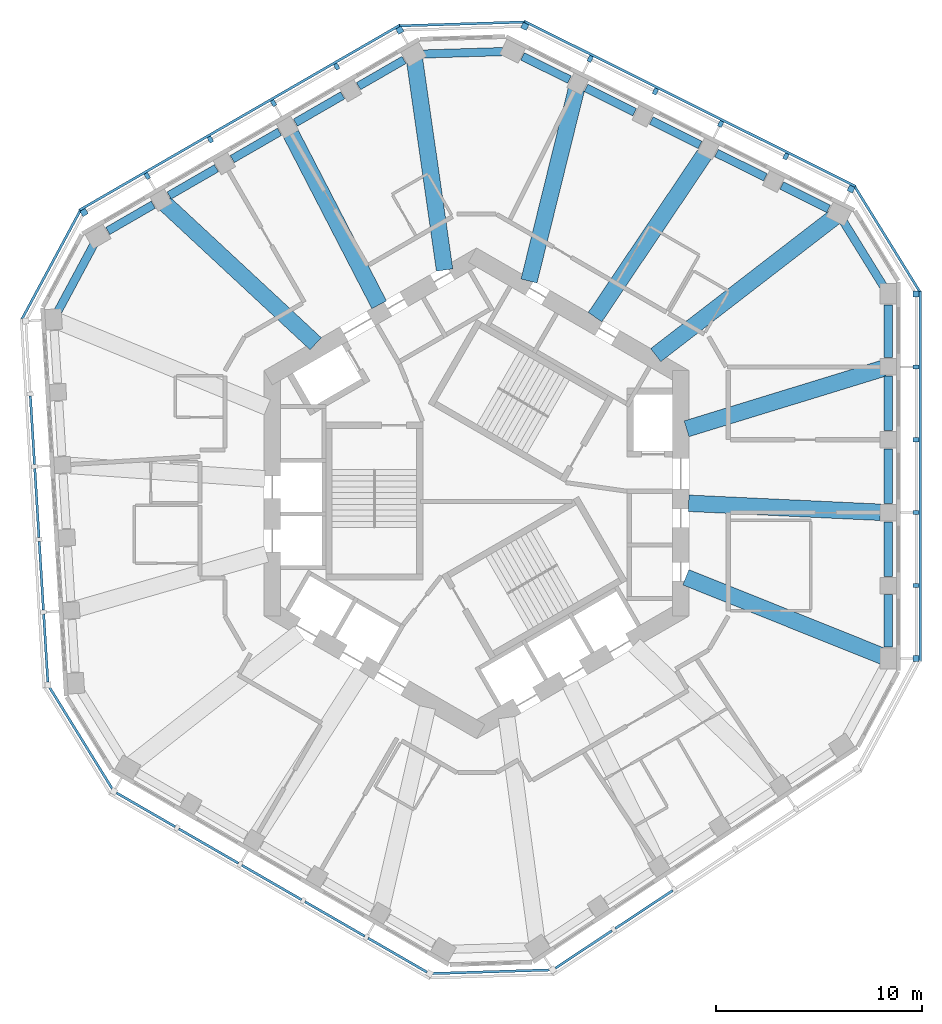
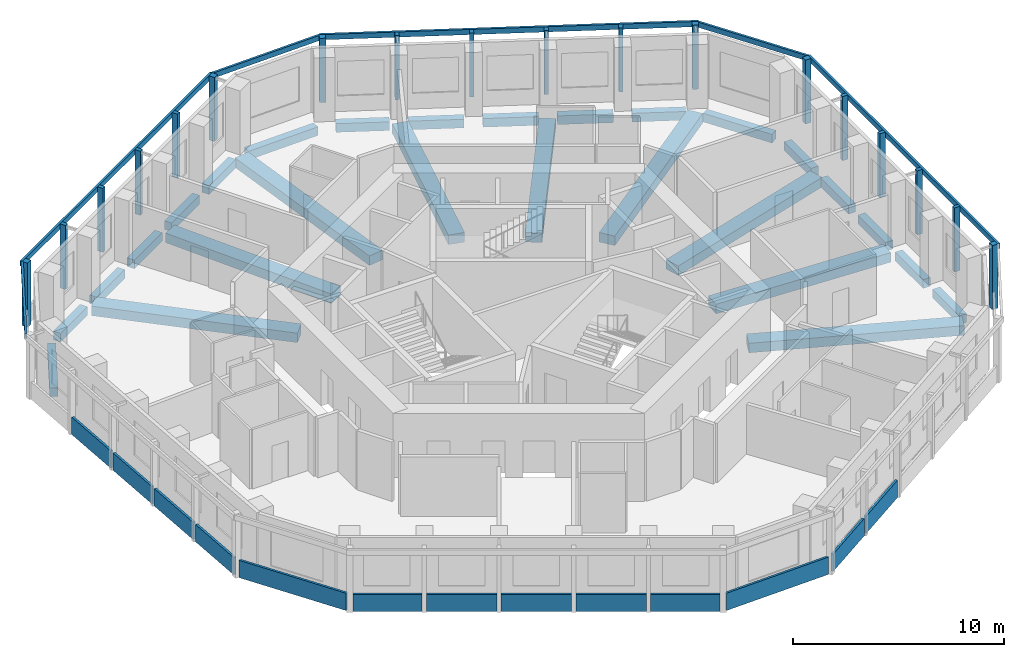
# One storey, part 2 of 11: 27 beams, 24 members, 13 plates, 11 elements without a shape of their own.
"""IFC4 building model written with IfcOpenShell, lengths in metres."""

from ifc_helpers import new_model, si_unit, direction, frame, origin, origin_2d, place, context, subcontext, project, spatial, rectangle, extrude, material, layer, layer_set, material_profile, profile_set, type_object, element, aggregate, save


model = new_model("IFC4")

# Units and contexts
model_context = context("Model", 3, precision=1e-05, world=origin(), true_north=direction((0.0, 1.0)))
body_context = subcontext(model_context, "Body", "Model", "MODEL_VIEW")
ifc_project = project(units=[si_unit("LENGTHUNIT", "METRE"), si_unit("AREAUNIT", "SQUARE_METRE"), si_unit("VOLUMEUNIT", "CUBIC_METRE"), si_unit("PLANEANGLEUNIT", "RADIAN"), si_unit("MASSUNIT", "GRAM", prefix="KILO")], contexts=[model_context])

# Site, building, storey
site_placement = place(None, origin())
site = spatial("IfcSite", under=ifc_project, at=site_placement, CompositionType="ELEMENT")
building_placement = place(site_placement, origin())
building = spatial("IfcBuilding", under=site, at=building_placement, Name="Vanh Sen Convention Tower", CompositionType="ELEMENT")
storey_placement = place(building_placement, frame((0.0, 0.0, 243.89990234375)))
storey = spatial("IfcBuildingStorey", under=building, at=storey_placement, Name="L60", CompositionType="ELEMENT", Elevation=243.89990234375)

# Curtain wall, members
ifc_material_1 = material(Name="Concrete C50/60", Category="concrete")
curtain_wall_type = type_object("IfcCurtainWallType", Name="Outer skin office zone", PredefinedType="NOTDEFINED", material=ifc_material_1)
curtain_wall_1_placement = place(storey_placement, origin())
curtain_wall_1 = element("IfcCurtainWall", 1, at=curtain_wall_1_placement, inside=storey, type_object=curtain_wall_type, Name="OUTER SKIN E L60", PredefinedType="NOTDEFINED")
ifc_material_profile_1 = material_profile(ifc_material_1, rectangle(XDim=0.300048828125, YDim=0.300048828125, at=origin_2d()), Name="Outer skin precast corner fin 300 x 300")
ifc_profile_set_1 = profile_set([ifc_material_profile_1], Name="Concrete C50/60")
member_type_1 = type_object("IfcMemberType", Name="Outer skin precast corner fin 300 x 300", PredefinedType="MULLION", material=ifc_profile_set_1)
member_1_placement = place(storey_placement, frame((21.300048828125, -8.002685546875, 0.0), z_axis=(0.0, 0.0, 1.0), x_axis=(0.0, 1.0, 0.0)))
member_1 = element("IfcMember", 2, at=member_1_placement, type_object=member_type_1, Name="OUTER SKIN CORNER FIN 1 E L60", PredefinedType="MULLION", context=body_context, shape_type="SweptSolid", body=[
    extrude(rectangle(XDim=0.300048828125, YDim=0.300048828125, at=origin_2d()), origin(), (0.0, 0.0, 1.0), 3.7001953125),
])
member_2_placement = place(storey_placement, frame((21.300048828125, 9.665283203125, 0.0), z_axis=(0.0, 0.0, 1.0), x_axis=(0.0, 1.0, 0.0)))
member_2 = element("IfcMember", 3, at=member_2_placement, type_object=member_type_1, Name="OUTER SKIN CORNER FIN 6 E L60", PredefinedType="MULLION", context=body_context, shape_type="SweptSolid", body=[
    extrude(rectangle(XDim=0.300048828125, YDim=0.300048828125, at=origin_2d()), origin(), (0.0, 0.0, 1.0), 3.7001953125),
])

curtain_wall_2_placement = place(storey_placement, origin())
curtain_wall_2 = element("IfcCurtainWall", 4, at=curtain_wall_2_placement, inside=storey, type_object=curtain_wall_type, Name="OUTER SKIN NE L60", PredefinedType="NOTDEFINED")
member_3_placement = place(storey_placement, frame((18.15380859375, 14.74951171875, 0.0), z_axis=(0.0, 0.0, 1.0), x_axis=(-0.894934361602, 0.44619781311, 0.0)))
member_3 = element("IfcMember", 5, at=member_3_placement, type_object=member_type_1, Name="OUTER SKIN CORNER FIN 1 NE L60", PredefinedType="MULLION", context=body_context, shape_type="SweptSolid", body=[
    extrude(rectangle(XDim=0.300048828125, YDim=0.300048828125, at=origin_2d()), origin(), (0.0, 0.0, 1.0), 3.7001953125),
])
member_4_placement = place(storey_placement, frame((2.342041015625, 22.633056640625, 0.0), z_axis=(0.0, 0.0, 1.0), x_axis=(-0.894934361602, 0.44619781311, 0.0)))
member_4 = element("IfcMember", 6, at=member_4_placement, type_object=member_type_1, Name="OUTER SKIN CORNER FIN 6 NE L60", PredefinedType="MULLION", context=body_context, shape_type="SweptSolid", body=[
    extrude(rectangle(XDim=0.300048828125, YDim=0.300048828125, at=origin_2d()), origin(), (0.0, 0.0, 1.0), 3.7001953125),
])

curtain_wall_3_placement = place(storey_placement, origin())
curtain_wall_3 = element("IfcCurtainWall", 7, at=curtain_wall_3_placement, inside=storey, type_object=curtain_wall_type, Name="OUTER SKIN NW L60", PredefinedType="NOTDEFINED")
member_5_placement = place(storey_placement, frame((-3.719482421875, 22.44775390625, 0.0), z_axis=(0.0, 0.0, 1.0), x_axis=(-0.866025403784, -0.5, 0.0)))
member_5 = element("IfcMember", 8, at=member_5_placement, type_object=member_type_1, Name="OUTER SKIN CORNER FIN 1 NW L60", PredefinedType="MULLION", context=body_context, shape_type="SweptSolid", body=[
    extrude(rectangle(XDim=0.300048828125, YDim=0.300048828125, at=origin_2d()), origin(), (0.0, 0.0, 1.0), 3.7001953125),
])
member_6_placement = place(storey_placement, frame((-19.0205078125, 13.613525390625, 0.0), z_axis=(0.0, 0.0, 1.0), x_axis=(-0.866025403784, -0.5, 0.0)))
member_6 = element("IfcMember", 9, at=member_6_placement, type_object=member_type_1, Name="OUTER SKIN CORNER FIN 6 NW L60", PredefinedType="MULLION", context=body_context, shape_type="SweptSolid", body=[
    extrude(rectangle(XDim=0.300048828125, YDim=0.300048828125, at=origin_2d()), origin(), (0.0, 0.0, 1.0), 3.7001953125),
])

# Member
ifc_material_profile_2 = material_profile(ifc_material_1, rectangle(XDim=0.199951171875, YDim=0.300048828125, at=origin_2d()), Name="Outer skin precast fin 200 x 300")
ifc_profile_set_2 = profile_set([ifc_material_profile_2], Name="Concrete C50/60")
member_type_2 = type_object("IfcMemberType", Name="Outer skin precast fin 200 x 300", PredefinedType="MULLION", material=ifc_profile_set_2)
member_7_placement = place(storey_placement, frame((21.300048828125, -4.46923828125, 0.0), z_axis=(0.0, 0.0, 1.0), x_axis=(0.0, 1.0, 0.0)))
member_7 = element("IfcMember", 10, at=member_7_placement, type_object=member_type_2, Name="OUTER SKIN fin 2 E L60", PredefinedType="MULLION", context=body_context, shape_type="SweptSolid", body=[
    extrude(rectangle(XDim=0.199951171875, YDim=0.300048828125, at=origin_2d()), origin(), (0.0, 0.0, 1.0), 3.7001953125),
])

member_8_placement = place(storey_placement, frame((21.300048828125, -0.935546875, 0.0), z_axis=(0.0, 0.0, 1.0), x_axis=(0.0, 1.0, 0.0)))
member_8 = element("IfcMember", 11, at=member_8_placement, type_object=member_type_2, Name="OUTER SKIN fin 3 E L60", PredefinedType="MULLION", context=body_context, shape_type="SweptSolid", body=[
    extrude(rectangle(XDim=0.199951171875, YDim=0.300048828125, at=origin_2d()), origin(), (0.0, 0.0, 1.0), 3.7001953125),
])

member_9_placement = place(storey_placement, frame((21.300048828125, 2.59814453125, 0.0), z_axis=(0.0, 0.0, 1.0), x_axis=(0.0, 1.0, 0.0)))
member_9 = element("IfcMember", 12, at=member_9_placement, type_object=member_type_2, Name="OUTER SKIN fin 4 E L60", PredefinedType="MULLION", context=body_context, shape_type="SweptSolid", body=[
    extrude(rectangle(XDim=0.199951171875, YDim=0.300048828125, at=origin_2d()), origin(), (0.0, 0.0, 1.0), 3.7001953125),
])

member_10_placement = place(storey_placement, frame((21.300048828125, 6.131591796875, 0.0), z_axis=(0.0, 0.0, 1.0), x_axis=(0.0, 1.0, 0.0)))
member_10 = element("IfcMember", 13, at=member_10_placement, type_object=member_type_2, Name="OUTER SKIN fin 5 E L60", PredefinedType="MULLION", context=body_context, shape_type="SweptSolid", body=[
    extrude(rectangle(XDim=0.199951171875, YDim=0.300048828125, at=origin_2d()), origin(), (0.0, 0.0, 1.0), 3.7001953125),
])

member_11_placement = place(storey_placement, frame((14.99169921875, 16.326171875, 0.0), z_axis=(0.0, 0.0, 1.0), x_axis=(-0.894934361602, 0.44619781311, 0.0)))
member_11 = element("IfcMember", 14, at=member_11_placement, type_object=member_type_2, Name="OUTER SKIN fin 2 NE L60", PredefinedType="MULLION", context=body_context, shape_type="SweptSolid", body=[
    extrude(rectangle(XDim=0.199951171875, YDim=0.300048828125, at=origin_2d()), origin(), (0.0, 0.0, 1.0), 3.7001953125),
])

member_12_placement = place(storey_placement, frame((11.8291015625, 17.90283203125, 0.0), z_axis=(0.0, 0.0, 1.0), x_axis=(-0.894934361602, 0.44619781311, 0.0)))
member_12 = element("IfcMember", 15, at=member_12_placement, type_object=member_type_2, Name="OUTER SKIN fin 3 NE L60", PredefinedType="MULLION", context=body_context, shape_type="SweptSolid", body=[
    extrude(rectangle(XDim=0.199951171875, YDim=0.300048828125, at=origin_2d()), origin(), (0.0, 0.0, 1.0), 3.7001953125),
])

member_13_placement = place(storey_placement, frame((8.666748046875, 19.4794921875, 0.0), z_axis=(0.0, 0.0, 1.0), x_axis=(-0.894934361602, 0.44619781311, 0.0)))
member_13 = element("IfcMember", 16, at=member_13_placement, type_object=member_type_2, Name="OUTER SKIN fin 4 NE L60", PredefinedType="MULLION", context=body_context, shape_type="SweptSolid", body=[
    extrude(rectangle(XDim=0.199951171875, YDim=0.300048828125, at=origin_2d()), origin(), (0.0, 0.0, 1.0), 3.7001953125),
])

member_14_placement = place(storey_placement, frame((5.50439453125, 21.056396484375, 0.0), z_axis=(0.0, 0.0, 1.0), x_axis=(-0.894934361602, 0.44619781311, 0.0)))
member_14 = element("IfcMember", 17, at=member_14_placement, type_object=member_type_2, Name="OUTER SKIN fin 5 NE L60", PredefinedType="MULLION", context=body_context, shape_type="SweptSolid", body=[
    extrude(rectangle(XDim=0.199951171875, YDim=0.300048828125, at=origin_2d()), origin(), (0.0, 0.0, 1.0), 3.7001953125),
])

member_15_placement = place(storey_placement, frame((-6.779541015625, 20.680908203125, 0.0), z_axis=(0.0, 0.0, 1.0), x_axis=(-0.866025403784, -0.5, 0.0)))
member_15 = element("IfcMember", 18, at=member_15_placement, type_object=member_type_2, Name="OUTER SKIN fin 2 NW L60", PredefinedType="MULLION", context=body_context, shape_type="SweptSolid", body=[
    extrude(rectangle(XDim=0.199951171875, YDim=0.300048828125, at=origin_2d()), origin(), (0.0, 0.0, 1.0), 3.7001953125),
])

member_16_placement = place(storey_placement, frame((-9.83984375, 18.9140625, 0.0), z_axis=(0.0, 0.0, 1.0), x_axis=(-0.866025403784, -0.5, 0.0)))
member_16 = element("IfcMember", 19, at=member_16_placement, type_object=member_type_2, Name="OUTER SKIN fin 3 NW L60", PredefinedType="MULLION", context=body_context, shape_type="SweptSolid", body=[
    extrude(rectangle(XDim=0.199951171875, YDim=0.300048828125, at=origin_2d()), origin(), (0.0, 0.0, 1.0), 3.7001953125),
])

member_17_placement = place(storey_placement, frame((-12.89990234375, 17.147216796875, 0.0), z_axis=(0.0, 0.0, 1.0), x_axis=(-0.866025403784, -0.5, 0.0)))
member_17 = element("IfcMember", 20, at=member_17_placement, type_object=member_type_2, Name="OUTER SKIN fin 4 NW L60", PredefinedType="MULLION", context=body_context, shape_type="SweptSolid", body=[
    extrude(rectangle(XDim=0.199951171875, YDim=0.300048828125, at=origin_2d()), origin(), (0.0, 0.0, 1.0), 3.7001953125),
])

member_18_placement = place(storey_placement, frame((-15.960205078125, 15.38037109375, 0.0), z_axis=(0.0, 0.0, 1.0), x_axis=(-0.866025403784, -0.5, 0.0)))
member_18 = element("IfcMember", 21, at=member_18_placement, type_object=member_type_2, Name="OUTER SKIN fin 5 NW L60", PredefinedType="MULLION", context=body_context, shape_type="SweptSolid", body=[
    extrude(rectangle(XDim=0.199951171875, YDim=0.300048828125, at=origin_2d()), origin(), (0.0, 0.0, 1.0), 3.7001953125),
])

ifc_material_profile_3 = material_profile(ifc_material_1, rectangle(XDim=0.1201171875, YDim=0.300048828125, at=origin_2d()), Name="Outer skin precast spandrel band 300 x 120")
ifc_profile_set_3 = profile_set([ifc_material_profile_3], Name="Concrete C50/60")
member_type_3 = type_object("IfcMemberType", Name="Outer skin precast spandrel band 300 x 120", PredefinedType="USERDEFINED", material=ifc_profile_set_3)
member_19_placement = place(storey_placement, frame((21.510009765625, -8.15283203125, 3.550048828125), z_axis=(0.0, 1.0, 0.0), x_axis=(-1.0, 0.0, 0.0)))
member_19 = element("IfcMember", 22, at=member_19_placement, type_object=member_type_3, Name="OUTER SKIN spandrel band E L60", ObjectType="TRANSOM", PredefinedType="USERDEFINED", context=body_context, shape_type="SweptSolid", body=[
    extrude(rectangle(XDim=0.1201171875, YDim=0.300048828125, at=origin_2d()), origin(), (0.0, 0.0, 1.0), 17.96826171875),
])

aggregate(curtain_wall_1, [member_1, member_7, member_8, member_9, member_10, member_2, member_19])

# Curtain wall, member
curtain_wall_4_placement = place(storey_placement, origin())
curtain_wall_4 = element("IfcCurtainWall", 23, at=curtain_wall_4_placement, inside=storey, type_object=curtain_wall_type, Name="OUTER SKIN CH1 L60", PredefinedType="NOTDEFINED")
member_20_placement = place(storey_placement, frame((21.478515625, 9.77587890625, 3.550048828125), z_axis=(-0.526187318786, 0.850368688011, 0.0), x_axis=(-0.850368688011, -0.526187318786, 0.0)))
member_20 = element("IfcMember", 24, at=member_20_placement, type_object=member_type_3, Name="OUTER SKIN spandrel band CH1 L60", ObjectType="TRANSOM", PredefinedType="USERDEFINED", context=body_context, shape_type="SweptSolid", body=[
    extrude(rectangle(XDim=0.1201171875, YDim=0.300048828125, at=origin_2d()), origin(), (0.0, 0.0, 1.0), 5.978759765625),
])
aggregate(curtain_wall_4, [member_20])

# Member
member_21_placement = place(storey_placement, frame((18.3818359375, 14.87060546875, 3.550048828125), z_axis=(-0.894940208367, 0.446186086121, 0.0), x_axis=(-0.446186086121, -0.894940208367, 0.0)))
member_21 = element("IfcMember", 25, at=member_21_placement, type_object=member_type_3, Name="OUTER SKIN spandrel band NE L60", ObjectType="TRANSOM", PredefinedType="USERDEFINED", context=body_context, shape_type="SweptSolid", body=[
    extrude(rectangle(XDim=0.1201171875, YDim=0.300048828125, at=origin_2d()), origin(), (0.0, 0.0, 1.0), 17.968017578125),
])

aggregate(curtain_wall_2, [member_3, member_11, member_12, member_13, member_14, member_4, member_21])

# Curtain wall, member
curtain_wall_5_placement = place(storey_placement, origin())
curtain_wall_5 = element("IfcCurtainWall", 26, at=curtain_wall_5_placement, inside=storey, type_object=curtain_wall_type, Name="OUTER SKIN CH2 L60", PredefinedType="NOTDEFINED")
member_22_placement = place(storey_placement, frame((2.335693359375, 22.843017578125, 3.550048828125), z_axis=(-0.999533054911, -0.030556049165, 0.0), x_axis=(0.030556049165, -0.999533054911, 0.0)))
member_22 = element("IfcMember", 27, at=member_22_placement, type_object=member_type_3, Name="OUTER SKIN spandrel band CH2 L60", ObjectType="TRANSOM", PredefinedType="USERDEFINED", context=body_context, shape_type="SweptSolid", body=[
    extrude(rectangle(XDim=0.1201171875, YDim=0.300048828125, at=origin_2d()), origin(), (0.0, 0.0, 1.0), 6.064453125),
])
aggregate(curtain_wall_5, [member_22])

# Member
member_23_placement = place(storey_placement, frame((-3.694580078125, 22.70458984375, 3.550048828125), z_axis=(-0.866022898019, -0.500004340088, 0.0), x_axis=(0.500004340088, -0.866022898019, 0.0)))
member_23 = element("IfcMember", 28, at=member_23_placement, type_object=member_type_3, Name="OUTER SKIN spandrel band NW L60", ObjectType="TRANSOM", PredefinedType="USERDEFINED", context=body_context, shape_type="SweptSolid", body=[
    extrude(rectangle(XDim=0.1201171875, YDim=0.300048828125, at=origin_2d()), origin(), (0.0, 0.0, 1.0), 17.968017578125),
])

aggregate(curtain_wall_3, [member_5, member_15, member_16, member_17, member_18, member_6, member_23])

# Curtain wall, member
curtain_wall_6_placement = place(storey_placement, origin())
curtain_wall_6 = element("IfcCurtainWall", 29, at=curtain_wall_6_placement, inside=storey, type_object=curtain_wall_type, Name="OUTER SKIN CH3 L60", PredefinedType="NOTDEFINED")
member_24_placement = place(storey_placement, frame((-19.20556640625, 13.712890625, 3.550048828125), z_axis=(-0.473317965247, -0.880891652688, 0.0), x_axis=(0.880891652688, -0.473317965247, 0.0)))
member_24 = element("IfcMember", 30, at=member_24_placement, type_object=member_type_3, Name="OUTER SKIN spandrel band CH3 L60", ObjectType="TRANSOM", PredefinedType="USERDEFINED", context=body_context, shape_type="SweptSolid", body=[
    extrude(rectangle(XDim=0.1201171875, YDim=0.300048828125, at=origin_2d()), origin(), (0.0, 0.0, 1.0), 5.978759765625),
])
aggregate(curtain_wall_6, [member_24])

# Beams
ifc_material_2 = material(Name="Concrete C50/60", Category="concrete")
ifc_material_profile_4 = material_profile(ifc_material_2, rectangle(XDim=0.800048828125, YDim=0.550048828125, at=origin_2d()), Name="RC 800X550")
ifc_profile_set_4 = profile_set([ifc_material_profile_4], Name="Concrete C50/60")
beam_type_1 = type_object("IfcBeamType", Name="Radial floor beam 800 x 550", PredefinedType="BEAM", material=ifc_profile_set_4)
beam_1_placement = place(storey_placement, frame((19.70361328125, -7.90380859375, -0.554931640625), z_axis=(-0.928119807881, 0.372281643676, 0.0), x_axis=(-0.372281643676, -0.928119807881, 0.0)))
element("IfcBeam", 31, at=beam_1_placement, inside=storey, type_object=beam_type_1, Name="Radial beam 01 L60", PredefinedType="BEAM", context=body_context, shape_type="SweptSolid", body=[
    extrude(rectangle(XDim=0.800048828125, YDim=0.550048828125, at=origin_2d()), origin(), (0.0, 0.0, 1.0), 10.29736328125),
])
beam_2_placement = place(storey_placement, frame((19.57373046875, -0.91796875, -0.554931640625), z_axis=(-0.998902062256, 0.046847305372, 0.0), x_axis=(-0.046847305372, -0.998902062256, 0.0)))
element("IfcBeam", 32, at=beam_2_placement, inside=storey, type_object=beam_type_1, Name="Radial beam 02 L60", PredefinedType="BEAM", context=body_context, shape_type="SweptSolid", body=[
    extrude(rectangle(XDim=0.800048828125, YDim=0.550048828125, at=origin_2d()), origin(), (0.0, 0.0, 1.0), 9.3076171875),
])
beam_3_placement = place(storey_placement, frame((19.734619140625, 6.0654296875, -0.554931640625), z_axis=(-0.955872411726, -0.293782117396, 0.0), x_axis=(0.293782117396, -0.955872411726, 0.0)))
element("IfcBeam", 33, at=beam_3_placement, inside=storey, type_object=beam_type_1, Name="Radial beam 03 L60", PredefinedType="BEAM", context=body_context, shape_type="SweptSolid", body=[
    extrude(rectangle(XDim=0.800048828125, YDim=0.550048828125, at=origin_2d()), origin(), (0.0, 0.0, 1.0), 9.998046875),
])
beam_4_placement = place(storey_placement, frame((17.35693359375, 13.39111328125, -0.554931640625), z_axis=(-0.791753308833, -0.610840975994, 0.0), x_axis=(0.610840975994, -0.791753308833, 0.0)))
element("IfcBeam", 34, at=beam_4_placement, inside=storey, type_object=beam_type_1, Name="Radial beam 04 L60", PredefinedType="BEAM", context=body_context, shape_type="SweptSolid", body=[
    extrude(rectangle(XDim=0.800048828125, YDim=0.550048828125, at=origin_2d()), origin(), (0.0, 0.0, 1.0), 10.955322265625),
])
beam_5_placement = place(storey_placement, frame((11.033447265625, 16.4072265625, -0.554931640625), z_axis=(-0.558029694191, -0.829820980936, 0.0), x_axis=(0.829820980936, -0.558029694191, 0.0)))
element("IfcBeam", 35, at=beam_5_placement, inside=storey, type_object=beam_type_1, Name="Radial beam 05 L60", PredefinedType="BEAM", context=body_context, shape_type="SweptSolid", body=[
    extrude(rectangle(XDim=0.800048828125, YDim=0.550048828125, at=origin_2d()), origin(), (0.0, 0.0, 1.0), 9.480224609375),
])
beam_6_placement = place(storey_placement, frame((4.837890625, 19.587890625, -0.554931640625), z_axis=(-0.239774955024, -0.970828497183, 0.0), x_axis=(0.970828497183, -0.239774955024, 0.0)))
element("IfcBeam", 36, at=beam_6_placement, inside=storey, type_object=beam_type_1, Name="Radial beam 06 L60", PredefinedType="BEAM", context=body_context, shape_type="SweptSolid", body=[
    extrude(rectangle(XDim=0.800048828125, YDim=0.550048828125, at=origin_2d()), origin(), (0.0, 0.0, 1.0), 9.5751953125),
])
beam_7_placement = place(storey_placement, frame((-3.0068359375, 21.015869140625, -0.554931640625), z_axis=(0.141633779943, -0.989919124161, 0.0), x_axis=(0.989919124161, 0.141633779943, 0.0)))
element("IfcBeam", 37, at=beam_7_placement, inside=storey, type_object=beam_type_1, Name="Radial beam 07 L60", PredefinedType="BEAM", context=body_context, shape_type="SweptSolid", body=[
    extrude(rectangle(XDim=0.800048828125, YDim=0.550048828125, at=origin_2d()), origin(), (0.0, 0.0, 1.0), 10.297607421875),
])
beam_8_placement = place(storey_placement, frame((-8.991943359375, 17.410400390625, -0.554931640625), z_axis=(0.458884097363, -0.888496136844, 0.0), x_axis=(0.888496136844, 0.458884097363, 0.0)))
element("IfcBeam", 38, at=beam_8_placement, inside=storey, type_object=beam_type_1, Name="Radial beam 08 L60", PredefinedType="BEAM", context=body_context, shape_type="SweptSolid", body=[
    extrude(rectangle(XDim=0.800048828125, YDim=0.550048828125, at=origin_2d()), origin(), (0.0, 0.0, 1.0), 9.307861328125),
])
beam_9_placement = place(storey_placement, frame((-15.1201171875, 14.057861328125, -0.554931640625), z_axis=(0.732363711377, -0.680913646697, 0.0), x_axis=(0.680913646697, 0.732363711377, 0.0)))
element("IfcBeam", 39, at=beam_9_placement, inside=storey, type_object=beam_type_1, Name="Radial beam 09 L60", PredefinedType="BEAM", context=body_context, shape_type="SweptSolid", body=[
    extrude(rectangle(XDim=0.800048828125, YDim=0.550048828125, at=origin_2d()), origin(), (0.0, 0.0, 1.0), 9.998046875),
])
ifc_material_profile_5 = material_profile(ifc_material_2, rectangle(XDim=0.39990234375, YDim=0.5, at=origin_2d()), Name="RC 400X500")
ifc_profile_set_5 = profile_set([ifc_material_profile_5], Name="Concrete C50/60")
beam_type_2 = type_object("IfcBeamType", Name="Spandrel beam 400 x 500", PredefinedType="SPANDREL", material=ifc_profile_set_5)
beam_10_placement = place(storey_placement, frame((19.949951171875, -7.457763671875, -0.52978515625), z_axis=(0.0, 1.0, 0.0), x_axis=(-1.0, 0.0, 0.0)))
element("IfcBeam", 40, at=beam_10_placement, inside=storey, type_object=beam_type_2, Name="Spandrel beam 01 L60", PredefinedType="SPANDREL", context=body_context, shape_type="SweptSolid", body=[
    extrude(rectangle(XDim=0.39990234375, YDim=0.5, at=origin_2d()), origin(), (0.0, 0.0, 1.0), 2.54345703125),
])
for number, where, z_axis, x_axis, name in (
    (41, (19.949951171875, -4.024169921875, -0.52978515625), (0.0, 1.0, 0.0), (-1.0, 0.0, 0.0), "Spandrel beam 02 L60"),
    (42, (19.949951171875, -0.490478515625, -0.52978515625), (0.0, 1.0, 0.0), (-1.0, 0.0, 0.0), "Spandrel beam 03 L60"),
    (43, (19.949951171875, 3.043212890625, -0.52978515625), (0.0, 1.0, 0.0), (-1.0, 0.0, 0.0), "Spandrel beam 04 L60"),
):
    element("IfcBeam", number, at=place(storey_placement, frame(where, z_axis=z_axis, x_axis=x_axis)), inside=storey, type_object=beam_type_2, Name=name, PredefinedType="SPANDREL", context=body_context, shape_type="SweptSolid", body=[
        extrude(rectangle(XDim=0.39990234375, YDim=0.5, at=origin_2d()), origin(), (0.0, 0.0, 1.0), 2.6435546875),
    ])
beam_11_placement = place(storey_placement, frame((19.949951171875, 6.57666015625, -0.52978515625), z_axis=(0.0, 1.0, 0.0), x_axis=(-1.0, 0.0, 0.0)))
element("IfcBeam", 44, at=beam_11_placement, inside=storey, type_object=beam_type_2, Name="Spandrel beam 05 L60", PredefinedType="SPANDREL", context=body_context, shape_type="SweptSolid", body=[
    extrude(rectangle(XDim=0.39990234375, YDim=0.5, at=origin_2d()), origin(), (0.0, 0.0, 1.0), 2.543701171875),
])
beam_12_placement = place(storey_placement, frame((19.72265625, 10.03271484375, -0.52978515625), z_axis=(-0.526227191347, 0.850344014553, 0.0), x_axis=(-0.850344014553, -0.526227191347, 0.0)))
element("IfcBeam", 45, at=beam_12_placement, inside=storey, type_object=beam_type_2, Name="Spandrel beam 06 L60", PredefinedType="SPANDREL", context=body_context, shape_type="SweptSolid", body=[
    extrude(rectangle(XDim=0.39990234375, YDim=0.5, at=origin_2d()), origin(), (0.0, 0.0, 1.0), 3.69384765625),
])
beam_13_placement = place(storey_placement, frame((17.063720703125, 13.784423828125, -0.52978515625), z_axis=(-0.894925734573, 0.446215115834, 0.0), x_axis=(-0.446215115834, -0.894925734573, 0.0)))
element("IfcBeam", 46, at=beam_13_placement, inside=storey, type_object=beam_type_2, Name="Spandrel beam 07 L60", PredefinedType="SPANDREL", context=body_context, shape_type="SweptSolid", body=[
    extrude(rectangle(XDim=0.39990234375, YDim=0.5, at=origin_2d()), origin(), (0.0, 0.0, 1.0), 2.543701171875),
])
for number, where, z_axis, x_axis, name in (
    (47, (13.990966796875, 15.31640625, -0.52978515625), (-0.894925303477, 0.446215980436, 0.0), (-0.446215980436, -0.894925303477, 0.0), "Spandrel beam 08 L60"),
    (48, (10.82861328125, 16.893310546875, -0.52978515625), (-0.894925303477, 0.446215980436, 0.0), (-0.446215980436, -0.894925303477, 0.0), "Spandrel beam 09 L60"),
    (49, (7.666259765625, 18.469970703125, -0.52978515625), (-0.894925303477, 0.446215980436, 0.0), (-0.446215980436, -0.894925303477, 0.0), "Spandrel beam 10 L60"),
):
    element("IfcBeam", number, at=place(storey_placement, frame(where, z_axis=z_axis, x_axis=x_axis)), inside=storey, type_object=beam_type_2, Name=name, PredefinedType="SPANDREL", context=body_context, shape_type="SweptSolid", body=[
        extrude(rectangle(XDim=0.39990234375, YDim=0.5, at=origin_2d()), origin(), (0.0, 0.0, 1.0), 2.643798828125),
    ])
beam_14_placement = place(storey_placement, frame((4.50390625, 20.046630859375, -0.52978515625), z_axis=(-0.894944842666, 0.44617679073, 0.0), x_axis=(-0.44617679073, -0.894944842666, 0.0)))
element("IfcBeam", 50, at=beam_14_placement, inside=storey, type_object=beam_type_2, Name="Spandrel beam 11 L60", PredefinedType="SPANDREL", context=body_context, shape_type="SweptSolid", body=[
    extrude(rectangle(XDim=0.39990234375, YDim=0.5, at=origin_2d()), origin(), (0.0, 0.0, 1.0), 2.5439453125),
])
beam_15_placement = place(storey_placement, frame((1.27197265625, 21.410400390625, -0.52978515625), z_axis=(-0.9995348756, -0.030496433566, 0.0), x_axis=(0.030496433566, -0.9995348756, 0.0)))
element("IfcBeam", 51, at=beam_15_placement, inside=storey, type_object=beam_type_2, Name="Spandrel beam 12 L60", PredefinedType="SPANDREL", context=body_context, shape_type="SweptSolid", body=[
    extrude(rectangle(XDim=0.39990234375, YDim=0.5, at=origin_2d()), origin(), (0.0, 0.0, 1.0), 3.8505859375),
])
beam_16_placement = place(storey_placement, frame((-3.516357421875, 21.006103515625, -0.52978515625), z_axis=(-0.866043336059, -0.499968939103, 0.0), x_axis=(0.499968939103, -0.866043336059, 0.0)))
element("IfcBeam", 52, at=beam_16_placement, inside=storey, type_object=beam_type_2, Name="Spandrel beam 13 L60", PredefinedType="SPANDREL", context=body_context, shape_type="SweptSolid", body=[
    extrude(rectangle(XDim=0.39990234375, YDim=0.5, at=origin_2d()), origin(), (0.0, 0.0, 1.0), 2.543701171875),
])
for number, where, z_axis, x_axis, name in (
    (53, (-6.489990234375, 19.289306640625, -0.52978515625), (-0.866017944311, -0.500012919964, 0.0), (0.500012919964, -0.866017944311, 0.0), "Spandrel beam 14 L60"),
    (54, (-9.55029296875, 17.5224609375, -0.52978515625), (-0.866017944311, -0.500012919964, 0.0), (0.500012919964, -0.866017944311, 0.0), "Spandrel beam 15 L60"),
):
    element("IfcBeam", number, at=place(storey_placement, frame(where, z_axis=z_axis, x_axis=x_axis)), inside=storey, type_object=beam_type_2, Name=name, PredefinedType="SPANDREL", context=body_context, shape_type="SweptSolid", body=[
        extrude(rectangle(XDim=0.39990234375, YDim=0.5, at=origin_2d()), origin(), (0.0, 0.0, 1.0), 2.6435546875),
    ])
beam_17_placement = place(storey_placement, frame((-12.6103515625, 15.755615234375, -0.52978515625), z_axis=(-0.866041031621, -0.499972930816, 0.0), x_axis=(0.499972930816, -0.866041031621, 0.0)))
element("IfcBeam", 55, at=beam_17_placement, inside=storey, type_object=beam_type_2, Name="Spandrel beam 16 L60", PredefinedType="SPANDREL", context=body_context, shape_type="SweptSolid", body=[
    extrude(rectangle(XDim=0.39990234375, YDim=0.5, at=origin_2d()), origin(), (0.0, 0.0, 1.0), 2.643798828125),
])
beam_18_placement = place(storey_placement, frame((-15.670654296875, 13.98876953125, -0.52978515625), z_axis=(-0.866043336059, -0.499968939103, 0.0), x_axis=(0.499968939103, -0.866043336059, 0.0)))
element("IfcBeam", 56, at=beam_18_placement, inside=storey, type_object=beam_type_2, Name="Spandrel beam 17 L60", PredefinedType="SPANDREL", context=body_context, shape_type="SweptSolid", body=[
    extrude(rectangle(XDim=0.39990234375, YDim=0.5, at=origin_2d()), origin(), (0.0, 0.0, 1.0), 2.543701171875),
])
beam_19_placement = place(storey_placement, frame((-18.5498046875, 12.06396484375, -0.52978515625), z_axis=(-0.473323254659, -0.880888810577, 0.0), x_axis=(0.880888810577, -0.473323254659, 0.0)))
element("IfcBeam", 57, at=beam_19_placement, inside=storey, type_object=beam_type_2, Name="Spandrel beam 18 L60", PredefinedType="SPANDREL", context=body_context, shape_type="SweptSolid", body=[
    extrude(rectangle(XDim=0.39990234375, YDim=0.5, at=origin_2d()), origin(), (0.0, 0.0, 1.0), 3.694091796875),
])

# Curtain wall, plates
curtain_wall_7_placement = place(storey_placement, origin())
curtain_wall_7 = element("IfcCurtainWall", 58, at=curtain_wall_7_placement, inside=storey, type_object=curtain_wall_type, Name="OUTER SKIN W L60", PredefinedType="NOTDEFINED")
ifc_layer = layer(ifc_material_1, 0.1201171875)
ifc_layer_set = layer_set([ifc_layer], Name="Concrete C50/60")
plate_type = type_object("IfcPlateType", Name="Outer skin precast screen panel 120", PredefinedType="CURTAIN_PANEL", material=ifc_layer_set)
plate_1_placement = place(storey_placement, frame((-21.526611328125, 3.056396484375, 0.0), z_axis=(0.0, 0.0, 1.0), x_axis=(0.061041571238, -0.998135224597, 0.0)))
plate_1 = element("IfcPlate", 59, at=plate_1_placement, type_object=plate_type, Name="OUTER SKIN screen panel W-2", PredefinedType="CURTAIN_PANEL", context=body_context, shape_type="SweptSolid", body=[
    extrude(rectangle(XDim=3.333740234375, YDim=0.1201171875, at=origin_2d()), origin(), (0.0, 0.0, 1.0), 1.0),
])
plate_2_placement = place(storey_placement, frame((-21.31103515625, -0.470703125, 0.0), z_axis=(0.0, 0.0, 1.0), x_axis=(0.061043313312, -0.998135118058, 0.0)))
plate_2 = element("IfcPlate", 60, at=plate_2_placement, type_object=plate_type, Name="OUTER SKIN screen panel W-3", PredefinedType="CURTAIN_PANEL", context=body_context, shape_type="SweptSolid", body=[
    extrude(rectangle(XDim=3.33349609375, YDim=0.1201171875, at=origin_2d()), origin(), (0.0, 0.0, 1.0), 1.0),
])
plate_3_placement = place(storey_placement, frame((-21.09521484375, -3.99755859375, 0.0), z_axis=(0.0, 0.0, 1.0), x_axis=(0.061043313312, -0.998135118058, 0.0)))
plate_3 = element("IfcPlate", 61, at=plate_3_placement, type_object=plate_type, Name="OUTER SKIN screen panel W-4", PredefinedType="CURTAIN_PANEL", context=body_context, shape_type="SweptSolid", body=[
    extrude(rectangle(XDim=3.33349609375, YDim=0.1201171875, at=origin_2d()), origin(), (0.0, 0.0, 1.0), 1.0),
])
plate_4_placement = place(storey_placement, frame((-20.881103515625, -7.499755859375, 0.0), z_axis=(0.0, 0.0, 1.0), x_axis=(0.061069444408, -0.998133519605, 0.0)))
plate_4 = element("IfcPlate", 62, at=plate_4_placement, type_object=plate_type, Name="OUTER SKIN screen panel W-5", PredefinedType="CURTAIN_PANEL", context=body_context, shape_type="SweptSolid", body=[
    extrude(rectangle(XDim=3.28369140625, YDim=0.1201171875, at=origin_2d()), origin(), (0.0, 0.0, 1.0), 1.0),
])
aggregate(curtain_wall_7, [plate_1, plate_2, plate_3, plate_4])

# Curtain wall, plate
curtain_wall_8_placement = place(storey_placement, origin())
curtain_wall_8 = element("IfcCurtainWall", 63, at=curtain_wall_8_placement, inside=storey, type_object=curtain_wall_type, Name="OUTER SKIN CH4 L60", PredefinedType="NOTDEFINED")
plate_5_placement = place(storey_placement, frame((-19.176025390625, -11.86669921875, 0.0), z_axis=(0.0, 0.0, 1.0), x_axis=(0.526215407796, -0.850351306578, 0.0)))
plate_5 = element("IfcPlate", 64, at=plate_5_placement, type_object=plate_type, Name="OUTER SKIN screen panel CH4-1", PredefinedType="CURTAIN_PANEL", context=body_context, shape_type="SweptSolid", body=[
    extrude(rectangle(XDim=5.76416015625, YDim=0.1201171875, at=origin_2d()), origin(), (0.0, 0.0, 1.0), 1.0),
])
aggregate(curtain_wall_8, [plate_5])

# Curtain wall, plates
curtain_wall_9_placement = place(storey_placement, origin())
curtain_wall_9 = element("IfcCurtainWall", 65, at=curtain_wall_9_placement, inside=storey, type_object=curtain_wall_type, Name="OUTER SKIN SW L60", PredefinedType="NOTDEFINED")
plate_6_placement = place(storey_placement, frame((-16.02880859375, -15.3408203125, 0.0), z_axis=(0.0, 0.0, 1.0), x_axis=(0.866026276448, -0.4999984885, 0.0)))
plate_6 = element("IfcPlate", 66, at=plate_6_placement, type_object=plate_type, Name="OUTER SKIN screen panel SW-1", PredefinedType="CURTAIN_PANEL", context=body_context, shape_type="SweptSolid", body=[
    extrude(rectangle(XDim=3.28369140625, YDim=0.1201171875, at=origin_2d()), origin(), (0.0, 0.0, 1.0), 1.0),
])
plate_7_placement = place(storey_placement, frame((-12.990234375, -17.09521484375, 0.0), z_axis=(0.0, 0.0, 1.0), x_axis=(0.866026276448, -0.4999984885, 0.0)))
plate_7 = element("IfcPlate", 67, at=plate_7_placement, type_object=plate_type, Name="OUTER SKIN screen panel SW-2", PredefinedType="CURTAIN_PANEL", context=body_context, shape_type="SweptSolid", body=[
    extrude(rectangle(XDim=3.33349609375, YDim=0.1201171875, at=origin_2d()), origin(), (0.0, 0.0, 1.0), 1.0),
])
plate_8_placement = place(storey_placement, frame((-9.93017578125, -18.862060546875, 0.0), z_axis=(0.0, 0.0, 1.0), x_axis=(0.866014058921, -0.500019649364, 0.0)))
plate_8 = element("IfcPlate", 68, at=plate_8_placement, type_object=plate_type, Name="OUTER SKIN screen panel SW-3", PredefinedType="CURTAIN_PANEL", context=body_context, shape_type="SweptSolid", body=[
    extrude(rectangle(XDim=3.333740234375, YDim=0.1201171875, at=origin_2d()), origin(), (0.0, 0.0, 1.0), 1.0),
])
plate_9_placement = place(storey_placement, frame((-6.869873046875, -20.62890625, 0.0), z_axis=(0.0, 0.0, 1.0), x_axis=(0.866026276448, -0.4999984885, 0.0)))
plate_9 = element("IfcPlate", 69, at=plate_9_placement, type_object=plate_type, Name="OUTER SKIN screen panel SW-4", PredefinedType="CURTAIN_PANEL", context=body_context, shape_type="SweptSolid", body=[
    extrude(rectangle(XDim=3.33349609375, YDim=0.1201171875, at=origin_2d()), origin(), (0.0, 0.0, 1.0), 1.0),
])
plate_10_placement = place(storey_placement, frame((-3.831298828125, -22.383056640625, 0.0), z_axis=(0.0, 0.0, 1.0), x_axis=(0.866033257659, -0.499986396443, 0.0)))
plate_10 = element("IfcPlate", 70, at=plate_10_placement, type_object=plate_type, Name="OUTER SKIN screen panel SW-5", PredefinedType="CURTAIN_PANEL", context=body_context, shape_type="SweptSolid", body=[
    extrude(rectangle(XDim=3.28369140625, YDim=0.1201171875, at=origin_2d()), origin(), (0.0, 0.0, 1.0), 1.0),
])
aggregate(curtain_wall_9, [plate_6, plate_7, plate_8, plate_9, plate_10])

# Curtain wall, plate
curtain_wall_10_placement = place(storey_placement, origin())
curtain_wall_10 = element("IfcCurtainWall", 71, at=curtain_wall_10_placement, inside=storey, type_object=curtain_wall_type, Name="OUTER SKIN CH5 L60", PredefinedType="NOTDEFINED")
plate_11_placement = place(storey_placement, frame((0.70849609375, -23.187744140625, 0.0), z_axis=(0.0, 0.0, 1.0), x_axis=(0.999533537535, 0.030540257725, 0.0)))
plate_11 = element("IfcPlate", 72, at=plate_11_placement, type_object=plate_type, Name="OUTER SKIN screen panel CH5-1", PredefinedType="CURTAIN_PANEL", context=body_context, shape_type="SweptSolid", body=[
    extrude(rectangle(XDim=5.6787109375, YDim=0.1201171875, at=origin_2d()), origin(), (0.0, 0.0, 1.0), 1.0),
])
aggregate(curtain_wall_10, [plate_11])

# Curtain wall, plates
curtain_wall_11_placement = place(storey_placement, origin())
curtain_wall_11 = element("IfcCurtainWall", 73, at=curtain_wall_11_placement, inside=storey, type_object=curtain_wall_type, Name="OUTER SKIN SE L60", PredefinedType="NOTDEFINED")
plate_12_placement = place(storey_placement, frame((5.190673828125, -22.107421875, 0.0), z_axis=(0.0, 0.0, 1.0), x_axis=(0.833896418343, 0.551920975752, 0.0)))
plate_12 = element("IfcPlate", 74, at=plate_12_placement, type_object=plate_type, Name="OUTER SKIN screen panel SE-1", PredefinedType="CURTAIN_PANEL", context=body_context, shape_type="SweptSolid", body=[
    extrude(rectangle(XDim=3.28369140625, YDim=0.1201171875, at=origin_2d()), origin(), (0.0, 0.0, 1.0), 1.0),
])
plate_13_placement = place(storey_placement, frame((8.116455078125, -20.1708984375, 0.0), z_axis=(0.0, 0.0, 1.0), x_axis=(0.833874262143, 0.551954450055, 0.0)))
plate_13 = element("IfcPlate", 75, at=plate_13_placement, type_object=plate_type, Name="OUTER SKIN screen panel SE-2", PredefinedType="CURTAIN_PANEL", context=body_context, shape_type="SweptSolid", body=[
    extrude(rectangle(XDim=3.33349609375, YDim=0.1201171875, at=origin_2d()), origin(), (0.0, 0.0, 1.0), 1.0),
])
aggregate(curtain_wall_11, [plate_12, plate_13])

save(model, "model.ifc")
